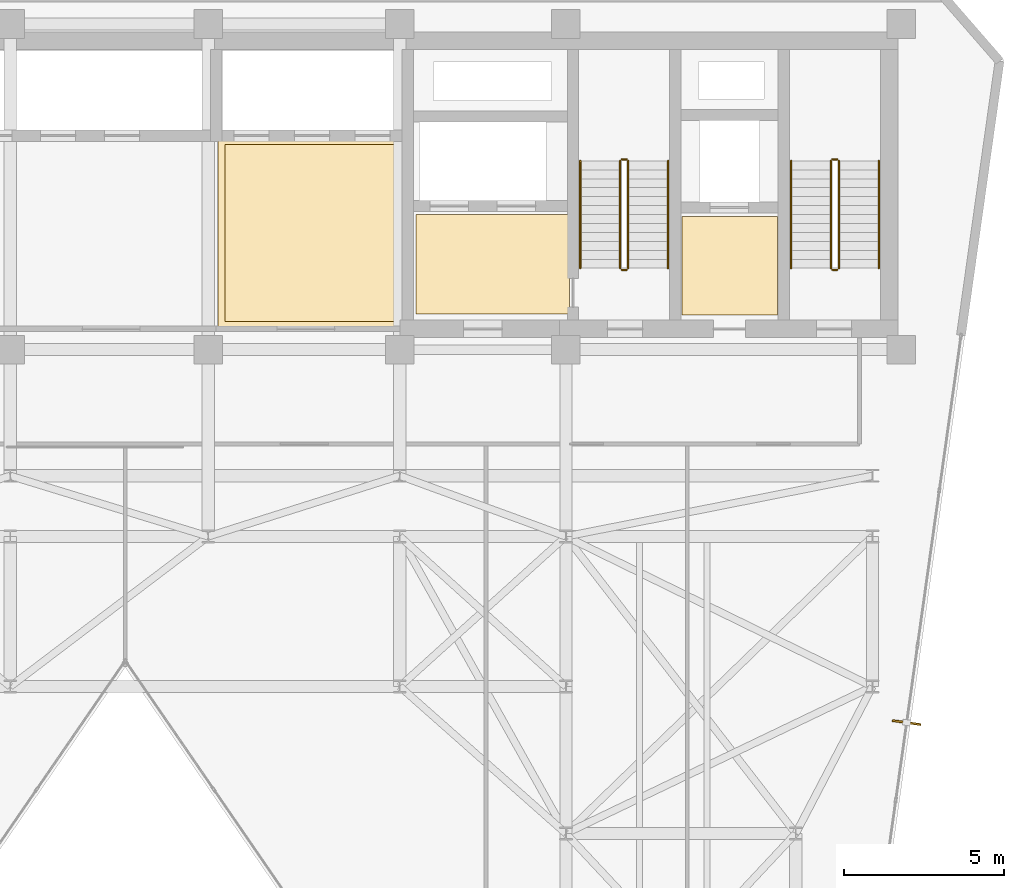
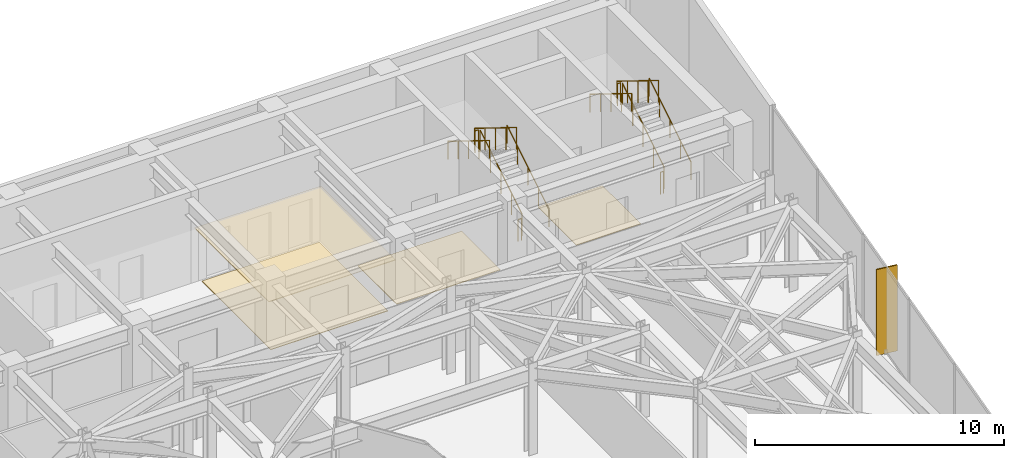
# One storey, part 25 of 25: 12 railings, 4 coverings, 1 shading device.
"""IFC4 building model written with IfcOpenShell, lengths in metres."""

from ifc_helpers import new_model, si_unit, direction, frame, origin, origin_2d, place, context, subcontext, project, spatial, polyline, rectangle, circle, outline, extrude, material, layer, layer_set, type_object, element, save


model = new_model("IFC4")

# Units and contexts
model_context = context("Model", 3, precision=1e-05, world=origin(), true_north=direction((0.0, 1.0)))
body_context = subcontext(model_context, "Body", "Model", "MODEL_VIEW")
ifc_project = project(units=[si_unit("LENGTHUNIT", "METRE"), si_unit("AREAUNIT", "SQUARE_METRE"), si_unit("VOLUMEUNIT", "CUBIC_METRE"), si_unit("PLANEANGLEUNIT", "RADIAN"), si_unit("MASSUNIT", "GRAM", prefix="KILO")], contexts=[model_context])

# Site, building, storey
site_placement = place(None, origin())
site = spatial("IfcSite", under=ifc_project, at=site_placement, CompositionType="ELEMENT")
building_placement = place(site_placement, origin())
building = spatial("IfcBuilding", under=site, at=building_placement, Name="Kravanh Interchange Tower", CompositionType="ELEMENT")
storey_placement = place(building_placement, frame((0.0, 0.0, 220.5)))
storey = spatial("IfcBuildingStorey", under=building, at=storey_placement, Name="L53", CompositionType="ELEMENT", Elevation=220.5)

# Coverings
ifc_material_1 = material(Name="Cementitious Terrazzo Tile")
ifc_layer_1 = layer(ifc_material_1, 0.030029296875)
ifc_layer_set_1 = layer_set([ifc_layer_1], Name="Honed Terrazzo Lobby Flooring 30mm")
covering_type_1 = type_object("IfcCoveringType", Name="Honed Terrazzo Lobby Flooring 30mm", PredefinedType="FLOORING", material=ifc_layer_set_1)
covering_1_placement = place(storey_placement, origin())
element("IfcCovering", 1, at=covering_1_placement, inside=storey, type_object=covering_type_1, Name="L53 Service Lift Lobby Floor Finish", PredefinedType="FLOORING", context=body_context, shape_type="SweptSolid", body=[
    extrude(outline(polyline([(59.6298828125, 41.52001953125), (62.6201171875, 41.52001953125), (62.6201171875, 38.429931640625), (59.6298828125, 38.429931640625), (59.6298828125, 41.52001953125)])), origin(), (0.0, 0.0, 1.0), 0.030029296875),
])
covering_2_placement = place(storey_placement, origin())
element("IfcCovering", 2, at=covering_2_placement, inside=storey, type_object=covering_type_1, Name="L53 Firefighting Lobby Floor Finish", PredefinedType="FLOORING", context=body_context, shape_type="SweptSolid", body=[
    extrude(outline(polyline([(56.1201171875, 38.4599609375), (51.300048828125, 38.4599609375), (51.300048828125, 41.580078125), (56.1201171875, 41.580078125), (56.1201171875, 38.4599609375)])), origin(), (0.0, 0.0, 1.0), 0.030029296875),
])
covering_3_placement = place(storey_placement, origin())
element("IfcCovering", 3, at=covering_3_placement, inside=storey, type_object=covering_type_1, Name="L53 High-Rise Lift Lobby Floor Finish", PredefinedType="FLOORING", context=body_context, shape_type="SweptSolid", body=[
    extrude(outline(polyline([(45.330078125, 43.77001953125), (50.77001953125, 43.77001953125), (50.77001953125, 38.22998046875), (45.330078125, 38.22998046875), (45.330078125, 43.77001953125)])), origin(), (0.0, 0.0, 1.0), 0.030029296875),
])
ifc_material_2 = material(Name="Anodised Bronze Aluminium Acoustic Baffle", Category="aluminium")
ifc_layer_2 = layer(ifc_material_2, 0.034912109375)
ifc_layer_set_2 = layer_set([ifc_layer_2], Name="Linear Bronze Baffle Feature Ceiling 35mm")
covering_type_2 = type_object("IfcCoveringType", Name="Linear Bronze Baffle Feature Ceiling 35mm", PredefinedType="CEILING", material=ifc_layer_set_2)
covering_4_placement = place(storey_placement, frame((0.0, 0.0, 2.550048828125)))
element("IfcCovering", 4, at=covering_4_placement, inside=storey, type_object=covering_type_2, Name="L53 High-Rise Lift Lobby Suspended Ceiling", PredefinedType="CEILING", context=body_context, shape_type="SweptSolid", body=[
    extrude(outline(polyline([(50.989990234375, 38.010009765625), (45.110107421875, 38.010009765625), (45.110107421875, 43.989990234375), (50.989990234375, 43.989990234375), (50.989990234375, 38.010009765625)])), origin(), (0.0, 0.0, 1.0), 0.034912109375),
])

# Railings
ifc_material_3 = material(Name="Structural Steel S355", Category="steel")
ifc_layer_3 = layer(ifc_material_3, 0.050048828125)
ifc_layer_set_3 = layer_set([ifc_layer_3], Name="Stair Well Guardrail Structural Steel S355 1100mm")
railing_type_1 = type_object("IfcRailingType", Name="Stair Well Guardrail Structural Steel S355 1100mm", PredefinedType="GUARDRAIL", material=ifc_layer_set_3)
railing_1_placement = place(storey_placement, frame((64.550048828125, 39.89990234375, 0.173095703125)))
element("IfcRailing", 5, at=railing_1_placement, inside=storey, type_object=railing_type_1, Name="L53 ST1 stair guard 1", PredefinedType="GUARDRAIL", context=body_context, shape_type="SweptSolid", body=[
    extrude(circle(Radius=0.02392578125, at=origin_2d()), frame((0.0, 0.0, 1.076171875), z_axis=(0.0, 0.850623216509, 0.525775754039), x_axis=(-1.0, 0.0, 0.0)), (0.0, 0.0, 1.0), 3.9501953125),
    extrude(circle(Radius=0.02099609375, at=origin_2d()), origin(), (0.0, 0.0, 1.0), 1.052001953125),
    extrude(circle(Radius=0.02099609375, at=origin_2d()), frame((0.0, 0.840087890625, 0.519287109375)), (0.0, 0.0, 1.0), 1.052001953125),
    extrude(circle(Radius=0.02099609375, at=origin_2d()), frame((0.0, 1.68017578125, 1.03857421875)), (0.0, 0.0, 1.0), 1.052001953125),
    extrude(circle(Radius=0.02099609375, at=origin_2d()), frame((0.0, 2.52001953125, 1.5576171875)), (0.0, 0.0, 1.0), 1.052001953125),
    extrude(circle(Radius=0.02099609375, at=origin_2d()), frame((0.0, 3.360107421875, 2.076904296875)), (0.0, 0.0, 1.0), 1.052001953125),
])
railing_2_placement = place(storey_placement, frame((64.5, 43.31005859375, 2.25)))
element("IfcRailing", 6, at=railing_2_placement, inside=storey, type_object=railing_type_1, Name="L53 ST1 stair guard 2", PredefinedType="GUARDRAIL", context=body_context, shape_type="SweptSolid", body=[
    extrude(circle(Radius=0.02392578125, at=origin_2d()), frame((0.0, 0.0, 1.076171875), z_axis=(-1.0, 0.0, 0.0), x_axis=(0.0, -1.0, 0.0)), (0.0, 0.0, 1.0), 0.14990234375),
    extrude(circle(Radius=0.02099609375, at=origin_2d()), origin(), (0.0, 0.0, 1.0), 1.052001953125),
    extrude(circle(Radius=0.02099609375, at=origin_2d()), frame((-0.14990234375, 0.0, 0.0)), (0.0, 0.0, 1.0), 1.052001953125),
])
railing_3_placement = place(storey_placement, frame((64.300048828125, 43.260009765625, 2.423095703125)))
element("IfcRailing", 7, at=railing_3_placement, inside=storey, type_object=railing_type_1, Name="L53 ST1 stair guard 3", PredefinedType="GUARDRAIL", context=body_context, shape_type="SweptSolid", body=[
    extrude(circle(Radius=0.02392578125, at=origin_2d()), frame((0.0, 0.0, 1.076171875), z_axis=(0.0, -0.850623216509, 0.525775754039), x_axis=(1.0, 0.0, 0.0)), (0.0, 0.0, 1.0), 3.9501953125),
    extrude(circle(Radius=0.02099609375, at=origin_2d()), origin(), (0.0, 0.0, 1.0), 1.052001953125),
    extrude(circle(Radius=0.02099609375, at=origin_2d()), frame((0.0, -0.840087890625, 0.519287109375)), (0.0, 0.0, 1.0), 1.052001953125),
    extrude(circle(Radius=0.02099609375, at=origin_2d()), frame((0.0, -1.68017578125, 1.03857421875)), (0.0, 0.0, 1.0), 1.052001953125),
    extrude(circle(Radius=0.02099609375, at=origin_2d()), frame((0.0, -2.52001953125, 1.5576171875)), (0.0, 0.0, 1.0), 1.052001953125),
    extrude(circle(Radius=0.02099609375, at=origin_2d()), frame((0.0, -3.360107421875, 2.076904296875)), (0.0, 0.0, 1.0), 1.052001953125),
])
railing_4_placement = place(storey_placement, frame((64.5, 39.85009765625, 0.0)))
element("IfcRailing", 8, at=railing_4_placement, inside=storey, type_object=railing_type_1, Name="L53 ST1 stair guard 4", PredefinedType="GUARDRAIL", context=body_context, shape_type="SweptSolid", body=[
    extrude(circle(Radius=0.02392578125, at=origin_2d()), frame((0.0, 0.0, 1.076171875), z_axis=(-1.0, 0.0, 0.0), x_axis=(0.0, -1.0, 0.0)), (0.0, 0.0, 1.0), 0.14990234375),
    extrude(circle(Radius=0.02099609375, at=origin_2d()), origin(), (0.0, 0.0, 1.0), 1.052001953125),
    extrude(circle(Radius=0.02099609375, at=origin_2d()), frame((-0.14990234375, 0.0, 0.0)), (0.0, 0.0, 1.0), 1.052001953125),
])
railing_5_placement = place(storey_placement, frame((57.949951171875, 39.89990234375, 0.173095703125)))
element("IfcRailing", 9, at=railing_5_placement, inside=storey, type_object=railing_type_1, Name="L53 ST2 stair guard 1", PredefinedType="GUARDRAIL", context=body_context, shape_type="SweptSolid", body=[
    extrude(circle(Radius=0.02392578125, at=origin_2d()), frame((0.0, 0.0, 1.076171875), z_axis=(0.0, 0.850623216509, 0.525775754039), x_axis=(-1.0, 0.0, 0.0)), (0.0, 0.0, 1.0), 3.9501953125),
    extrude(circle(Radius=0.02099609375, at=origin_2d()), origin(), (0.0, 0.0, 1.0), 1.052001953125),
    extrude(circle(Radius=0.02099609375, at=origin_2d()), frame((0.0, 0.840087890625, 0.519287109375)), (0.0, 0.0, 1.0), 1.052001953125),
    extrude(circle(Radius=0.02099609375, at=origin_2d()), frame((0.0, 1.68017578125, 1.03857421875)), (0.0, 0.0, 1.0), 1.052001953125),
    extrude(circle(Radius=0.02099609375, at=origin_2d()), frame((0.0, 2.52001953125, 1.5576171875)), (0.0, 0.0, 1.0), 1.052001953125),
    extrude(circle(Radius=0.02099609375, at=origin_2d()), frame((0.0, 3.360107421875, 2.076904296875)), (0.0, 0.0, 1.0), 1.052001953125),
])
railing_6_placement = place(storey_placement, frame((57.89990234375, 43.31005859375, 2.25)))
element("IfcRailing", 10, at=railing_6_placement, inside=storey, type_object=railing_type_1, Name="L53 ST2 stair guard 2", PredefinedType="GUARDRAIL", context=body_context, shape_type="SweptSolid", body=[
    extrude(circle(Radius=0.02392578125, at=origin_2d()), frame((0.0, 0.0, 1.076171875), z_axis=(-1.0, 0.0, 0.0), x_axis=(0.0, -1.0, 0.0)), (0.0, 0.0, 1.0), 0.14990234375),
    extrude(circle(Radius=0.02099609375, at=origin_2d()), origin(), (0.0, 0.0, 1.0), 1.052001953125),
    extrude(circle(Radius=0.02099609375, at=origin_2d()), frame((-0.14990234375, 0.0, 0.0)), (0.0, 0.0, 1.0), 1.052001953125),
])
railing_7_placement = place(storey_placement, frame((57.699951171875, 43.260009765625, 2.423095703125)))
element("IfcRailing", 11, at=railing_7_placement, inside=storey, type_object=railing_type_1, Name="L53 ST2 stair guard 3", PredefinedType="GUARDRAIL", context=body_context, shape_type="SweptSolid", body=[
    extrude(circle(Radius=0.02392578125, at=origin_2d()), frame((0.0, 0.0, 1.076171875), z_axis=(0.0, -0.850623216509, 0.525775754039), x_axis=(1.0, 0.0, 0.0)), (0.0, 0.0, 1.0), 3.9501953125),
    extrude(circle(Radius=0.02099609375, at=origin_2d()), origin(), (0.0, 0.0, 1.0), 1.052001953125),
    extrude(circle(Radius=0.02099609375, at=origin_2d()), frame((0.0, -0.840087890625, 0.519287109375)), (0.0, 0.0, 1.0), 1.052001953125),
    extrude(circle(Radius=0.02099609375, at=origin_2d()), frame((0.0, -1.68017578125, 1.03857421875)), (0.0, 0.0, 1.0), 1.052001953125),
    extrude(circle(Radius=0.02099609375, at=origin_2d()), frame((0.0, -2.52001953125, 1.5576171875)), (0.0, 0.0, 1.0), 1.052001953125),
    extrude(circle(Radius=0.02099609375, at=origin_2d()), frame((0.0, -3.360107421875, 2.076904296875)), (0.0, 0.0, 1.0), 1.052001953125),
])
railing_8_placement = place(storey_placement, frame((57.89990234375, 39.85009765625, 0.0)))
element("IfcRailing", 12, at=railing_8_placement, inside=storey, type_object=railing_type_1, Name="L53 ST2 stair guard 4", PredefinedType="GUARDRAIL", context=body_context, shape_type="SweptSolid", body=[
    extrude(circle(Radius=0.02392578125, at=origin_2d()), frame((0.0, 0.0, 1.076171875), z_axis=(-1.0, 0.0, 0.0), x_axis=(0.0, -1.0, 0.0)), (0.0, 0.0, 1.0), 0.14990234375),
    extrude(circle(Radius=0.02099609375, at=origin_2d()), origin(), (0.0, 0.0, 1.0), 1.052001953125),
    extrude(circle(Radius=0.02099609375, at=origin_2d()), frame((-0.14990234375, 0.0, 0.0)), (0.0, 0.0, 1.0), 1.052001953125),
])
ifc_material_4 = material(Name="Stainless Steel 304", Category="steel")
ifc_layer_4 = layer(ifc_material_4, 0.044921875)
ifc_layer_set_4 = layer_set([ifc_layer_4], Name="Tubular Stair Handrail Stainless 304 900mm")
railing_type_2 = type_object("IfcRailingType", Name="Tubular Stair Handrail Stainless 304 900mm", PredefinedType="HANDRAIL", material=ifc_layer_set_4)
railing_9_placement = place(storey_placement, frame((65.800048828125, 39.89990234375, 0.173095703125)))
element("IfcRailing", 13, at=railing_9_placement, inside=storey, type_object=railing_type_2, Name="L53 ST1 stair handrail 1", PredefinedType="HANDRAIL", context=body_context, shape_type="SweptSolid", body=[
    extrude(circle(Radius=0.02392578125, at=origin_2d()), frame((0.0, 0.0, 0.8759765625), z_axis=(0.0, 0.850623216509, 0.525775754039), x_axis=(-1.0, 0.0, 0.0)), (0.0, 0.0, 1.0), 3.9501953125),
    extrude(circle(Radius=0.02099609375, at=origin_2d()), origin(), (0.0, 0.0, 1.0), 0.851806640625),
    extrude(circle(Radius=0.02099609375, at=origin_2d()), frame((0.0, 0.840087890625, 0.519287109375)), (0.0, 0.0, 1.0), 0.851806640625),
    extrude(circle(Radius=0.02099609375, at=origin_2d()), frame((0.0, 1.68017578125, 1.03857421875)), (0.0, 0.0, 1.0), 0.851806640625),
    extrude(circle(Radius=0.02099609375, at=origin_2d()), frame((0.0, 2.52001953125, 1.5576171875)), (0.0, 0.0, 1.0), 0.851806640625),
    extrude(circle(Radius=0.02099609375, at=origin_2d()), frame((0.0, 3.360107421875, 2.076904296875)), (0.0, 0.0, 1.0), 0.851806640625),
])
railing_10_placement = place(storey_placement, frame((63.050048828125, 43.260009765625, 2.423095703125)))
element("IfcRailing", 14, at=railing_10_placement, inside=storey, type_object=railing_type_2, Name="L53 ST1 stair handrail 2", PredefinedType="HANDRAIL", context=body_context, shape_type="SweptSolid", body=[
    extrude(circle(Radius=0.02392578125, at=origin_2d()), frame((0.0, 0.0, 0.8759765625), z_axis=(0.0, -0.850623216509, 0.525775754039), x_axis=(1.0, 0.0, 0.0)), (0.0, 0.0, 1.0), 3.9501953125),
    extrude(circle(Radius=0.02099609375, at=origin_2d()), origin(), (0.0, 0.0, 1.0), 0.851806640625),
    extrude(circle(Radius=0.02099609375, at=origin_2d()), frame((0.0, -0.840087890625, 0.519287109375)), (0.0, 0.0, 1.0), 0.851806640625),
    extrude(circle(Radius=0.02099609375, at=origin_2d()), frame((0.0, -1.68017578125, 1.03857421875)), (0.0, 0.0, 1.0), 0.851806640625),
    extrude(circle(Radius=0.02099609375, at=origin_2d()), frame((0.0, -2.52001953125, 1.5576171875)), (0.0, 0.0, 1.0), 0.851806640625),
    extrude(circle(Radius=0.02099609375, at=origin_2d()), frame((0.0, -3.360107421875, 2.076904296875)), (0.0, 0.0, 1.0), 0.851806640625),
])
railing_11_placement = place(storey_placement, frame((59.199951171875, 39.89990234375, 0.173095703125)))
element("IfcRailing", 15, at=railing_11_placement, inside=storey, type_object=railing_type_2, Name="L53 ST2 stair handrail 1", PredefinedType="HANDRAIL", context=body_context, shape_type="SweptSolid", body=[
    extrude(circle(Radius=0.02392578125, at=origin_2d()), frame((0.0, 0.0, 0.8759765625), z_axis=(0.0, 0.850623216509, 0.525775754039), x_axis=(-1.0, 0.0, 0.0)), (0.0, 0.0, 1.0), 3.9501953125),
    extrude(circle(Radius=0.02099609375, at=origin_2d()), origin(), (0.0, 0.0, 1.0), 0.851806640625),
    extrude(circle(Radius=0.02099609375, at=origin_2d()), frame((0.0, 0.840087890625, 0.519287109375)), (0.0, 0.0, 1.0), 0.851806640625),
    extrude(circle(Radius=0.02099609375, at=origin_2d()), frame((0.0, 1.68017578125, 1.03857421875)), (0.0, 0.0, 1.0), 0.851806640625),
    extrude(circle(Radius=0.02099609375, at=origin_2d()), frame((0.0, 2.52001953125, 1.5576171875)), (0.0, 0.0, 1.0), 0.851806640625),
    extrude(circle(Radius=0.02099609375, at=origin_2d()), frame((0.0, 3.360107421875, 2.076904296875)), (0.0, 0.0, 1.0), 0.851806640625),
])
railing_12_placement = place(storey_placement, frame((56.449951171875, 43.260009765625, 2.423095703125)))
element("IfcRailing", 16, at=railing_12_placement, inside=storey, type_object=railing_type_2, Name="L53 ST2 stair handrail 2", PredefinedType="HANDRAIL", context=body_context, shape_type="SweptSolid", body=[
    extrude(circle(Radius=0.02392578125, at=origin_2d()), frame((0.0, 0.0, 0.8759765625), z_axis=(0.0, -0.850623216509, 0.525775754039), x_axis=(1.0, 0.0, 0.0)), (0.0, 0.0, 1.0), 3.9501953125),
    extrude(circle(Radius=0.02099609375, at=origin_2d()), origin(), (0.0, 0.0, 1.0), 0.851806640625),
    extrude(circle(Radius=0.02099609375, at=origin_2d()), frame((0.0, -0.840087890625, 0.519287109375)), (0.0, 0.0, 1.0), 0.851806640625),
    extrude(circle(Radius=0.02099609375, at=origin_2d()), frame((0.0, -1.68017578125, 1.03857421875)), (0.0, 0.0, 1.0), 0.851806640625),
    extrude(circle(Radius=0.02099609375, at=origin_2d()), frame((0.0, -2.52001953125, 1.5576171875)), (0.0, 0.0, 1.0), 0.851806640625),
    extrude(circle(Radius=0.02099609375, at=origin_2d()), frame((0.0, -3.360107421875, 2.076904296875)), (0.0, 0.0, 1.0), 0.851806640625),
])

# Shading device
ifc_material_5 = material(Name="Anodised Champagne Bronze Aluminium", Category="aluminium")
ifc_layer_5 = layer(ifc_material_5, 0.06005859375)
ifc_layer_set_5 = layer_set([ifc_layer_5], Name="Vertical Bronze Solar Fin 900mm")
shading_device_type = type_object("IfcShadingDeviceType", Name="Vertical Bronze Solar Fin 900mm", PredefinedType="USERDEFINED", material=ifc_layer_set_5)
shading_device_placement = place(storey_placement, frame((66.67041015625, 25.67041015625, 0.0), z_axis=(0.0, 0.0, 1.0), x_axis=(0.990268182791, -0.139172289451, 0.0)))
element("IfcShadingDevice", 17, at=shading_device_placement, inside=storey, type_object=shading_device_type, Name="L53 BRONZE SOLAR FIN 2", ObjectType="FIN", PredefinedType="USERDEFINED", context=body_context, shape_type="SweptSolid", body=[
    extrude(rectangle(XDim=0.89990234375, YDim=0.06005859375, at=origin_2d()), origin(), (0.0, 0.0, 1.0), 4.219970703125),
])

save(model, "model.ifc")
